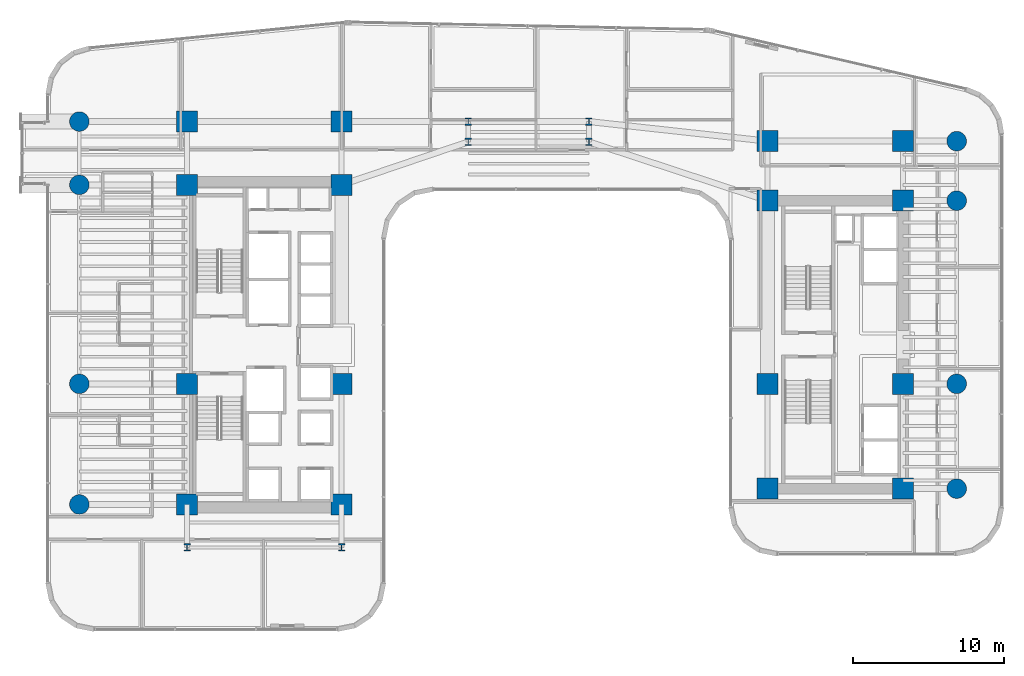
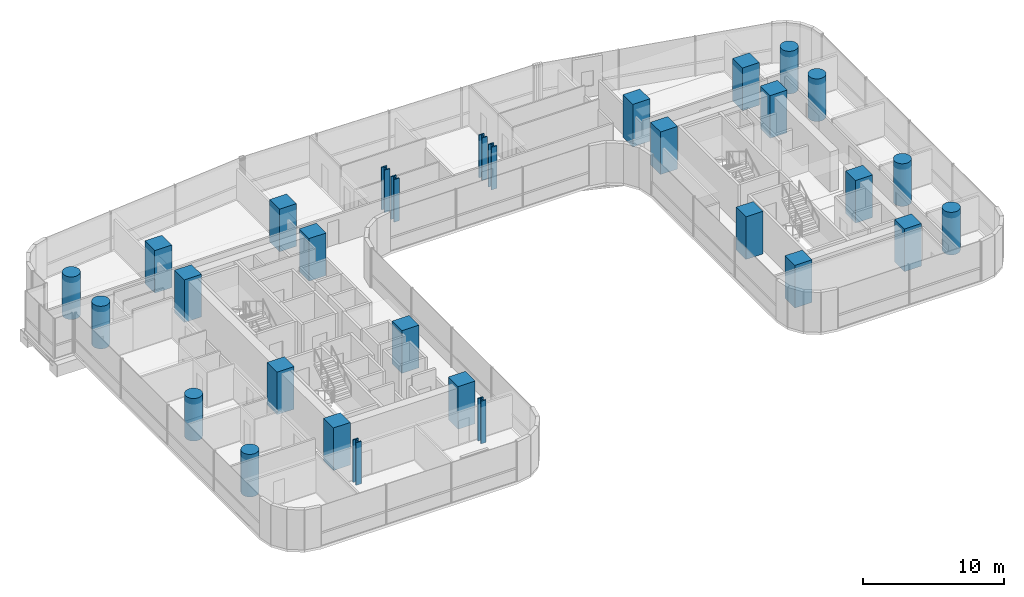
# One storey, part 1 of 41: 30 columns.
"""IFC4 building model written with IfcOpenShell, lengths in metres."""

from ifc_helpers import new_model, si_unit, direction, frame, origin, origin_2d, place, context, subcontext, project, spatial, rectangle, circle, i_section, extrude, source, transform, mapped, material, material_profile, profile_set, type_object, element, save


model = new_model("IFC4")

# Units and contexts
model_context = context("Model", 3, precision=1e-05, world=origin(), true_north=direction((0.0, 1.0)))
body_context = subcontext(model_context, "Body", "Model", "MODEL_VIEW")
ifc_project = project(units=[si_unit("LENGTHUNIT", "METRE"), si_unit("AREAUNIT", "SQUARE_METRE"), si_unit("VOLUMEUNIT", "CUBIC_METRE"), si_unit("PLANEANGLEUNIT", "RADIAN"), si_unit("MASSUNIT", "GRAM", prefix="KILO")], contexts=[model_context])

# Site, building, storey
site_placement = place(None, origin())
site = spatial("IfcSite", under=ifc_project, at=site_placement, CompositionType="ELEMENT")
building_placement = place(site_placement, origin())
building = spatial("IfcBuilding", under=site, at=building_placement, Name="Valdorenza Pilgrim Sanctuary Tower", CompositionType="ELEMENT")
storey_placement = place(building_placement, frame((0.0, 0.0, 85.199951171875)))
storey = spatial("IfcBuildingStorey", under=building, at=storey_placement, Name="L21", CompositionType="ELEMENT", Elevation=85.199951171875)

# Columns
ifc_material_1 = material(Name="Concrete C60/75", Category="concrete")
ifc_material_profile_1 = material_profile(ifc_material_1, circle(Radius=0.64990234375, at=origin_2d()), Name="RC D1300")
ifc_profile_set_1 = profile_set([ifc_material_profile_1], Name="Concrete C60/75")
column_type_1 = type_object("IfcColumnType", Name="COL-RND-1300", PredefinedType="COLUMN", material=ifc_profile_set_1)
shared_shape_1 = source(origin(), body_context, "Body", "SweptSolid", [
    extrude(circle(Radius=0.64990234375, at=origin_2d()), origin(), (0.0, 0.0, 1.0), 3.699951171875),
])
for number, where, z_axis, x_axis, name in (
    (1, (-29.800048828125, -10.60009765625, 0.0), (0.0, 0.0, 1.0), (1.0, 0.0, 0.0), "L21 Perimeter Column WA-W-S1"),
    (2, (-29.800048828125, -2.60009765625, 0.0), (0.0, 0.0, 1.0), (1.0, 0.0, 0.0), "L21 Perimeter Column WA-W-M0"),
    (3, (-29.800048828125, 10.60009765625, 0.0), (0.0, 0.0, 1.0), (1.0, 0.0, 0.0), "L21 Perimeter Column WA-W-N1"),
    (4, (-29.800048828125, 14.800048828125, 0.0), (0.0, 0.0, 1.0), (1.0, 0.0, 0.0), "L21 Perimeter Column WA-W-N2"),
    (5, (28.39990234375, -9.550048828125, 0.0), (0.0, 0.0, 1.0), (1.0, 0.0, 0.0), "L21 Perimeter Column WB-E-S1"),
    (6, (28.39990234375, -2.60009765625, 0.0), (0.0, 0.0, 1.0), (1.0, 0.0, 0.0), "L21 Perimeter Column WB-E-M0"),
    (7, (28.39990234375, 9.550048828125, 0.0), (0.0, 0.0, 1.0), (1.0, 0.0, 0.0), "L21 Perimeter Column WB-E-N1"),
    (8, (28.39990234375, 13.5, 0.0), (0.0, 0.0, 1.0), (1.0, 0.0, 0.0), "L21 Perimeter Column WB-E-N2"),
):
    element("IfcColumn", number, at=place(storey_placement, frame(where, z_axis=z_axis, x_axis=x_axis)), inside=storey, type_object=column_type_1, Name=name, PredefinedType="COLUMN", context=body_context, shape_type="MappedRepresentation", body=[
        mapped(shared_shape_1, transform((0.0, 0.0, 0.0), x_axis=(1.0, 0.0, 0.0), y_axis=(0.0, 1.0, 0.0), z_axis=(0.0, 0.0, 1.0), scale=1.0)),
    ])
ifc_material_profile_2 = material_profile(ifc_material_1, rectangle(XDim=1.39990234375, YDim=1.39990234375, at=origin_2d()), Name="RC 1400x1400")
ifc_profile_set_2 = profile_set([ifc_material_profile_2], Name="Concrete C60/75")
column_type_2 = type_object("IfcColumnType", Name="COL-Z1-1400", PredefinedType="COLUMN", material=ifc_profile_set_2)
shared_shape_2 = source(origin(), body_context, "Body", "SweptSolid", [
    extrude(rectangle(XDim=1.39990234375, YDim=1.39990234375, at=origin_2d()), origin(), (0.0, 0.0, 1.0), 3.699951171875),
])
for number, where, z_axis, x_axis, name in (
    (9, (-22.64990234375, -10.60009765625, 0.0), (0.0, 0.0, 1.0), (1.0, 0.0, 0.0), "L21 Column CA-W-S1"),
    (10, (-12.39990234375, -10.60009765625, 0.0), (0.0, 0.0, 1.0), (1.0, 0.0, 0.0), "L21 Column CA-E-S1"),
    (11, (-22.64990234375, -2.60009765625, 0.0), (0.0, 0.0, 1.0), (1.0, 0.0, 0.0), "L21 Column CA-W-M0"),
    (12, (-12.39990234375, -2.60009765625, 0.0), (0.0, 0.0, 1.0), (1.0, 0.0, 0.0), "L21 Column CA-E-M0"),
    (13, (-22.64990234375, 10.60009765625, 0.0), (0.0, 0.0, 1.0), (1.0, 0.0, 0.0), "L21 Column CA-W-N1"),
    (14, (-12.39990234375, 10.60009765625, 0.0), (0.0, 0.0, 1.0), (1.0, 0.0, 0.0), "L21 Column CA-E-N1"),
    (15, (-22.64990234375, 14.800048828125, 0.0), (0.0, 0.0, 1.0), (1.0, 0.0, 0.0), "L21 Column CA-W-N2"),
    (16, (-12.39990234375, 14.800048828125, 0.0), (0.0, 0.0, 1.0), (1.0, 0.0, 0.0), "L21 Column CA-E-N2"),
    (17, (15.85009765625, -9.550048828125, 0.0), (0.0, 0.0, 1.0), (1.0, 0.0, 0.0), "L21 Column CB-W-S1"),
    (18, (24.85009765625, -9.550048828125, 0.0), (0.0, 0.0, 1.0), (1.0, 0.0, 0.0), "L21 Column CB-E-S1"),
    (19, (15.85009765625, -2.60009765625, 0.0), (0.0, 0.0, 1.0), (1.0, 0.0, 0.0), "L21 Column CB-W-M0"),
    (20, (24.85009765625, -2.60009765625, 0.0), (0.0, 0.0, 1.0), (1.0, 0.0, 0.0), "L21 Column CB-E-M0"),
    (21, (15.85009765625, 9.550048828125, 0.0), (0.0, 0.0, 1.0), (1.0, 0.0, 0.0), "L21 Column CB-W-N1"),
    (22, (24.85009765625, 9.550048828125, 0.0), (0.0, 0.0, 1.0), (1.0, 0.0, 0.0), "L21 Column CB-E-N1"),
    (23, (15.85009765625, 13.5, 0.0), (0.0, 0.0, 1.0), (1.0, 0.0, 0.0), "L21 Column CB-W-N2"),
    (24, (24.85009765625, 13.5, 0.0), (0.0, 0.0, 1.0), (1.0, 0.0, 0.0), "L21 Column CB-E-N2"),
):
    element("IfcColumn", number, at=place(storey_placement, frame(where, z_axis=z_axis, x_axis=x_axis)), inside=storey, type_object=column_type_2, Name=name, PredefinedType="COLUMN", context=body_context, shape_type="MappedRepresentation", body=[
        mapped(shared_shape_2, transform((0.0, 0.0, 0.0), x_axis=(1.0, 0.0, 0.0), y_axis=(0.0, 1.0, 0.0), z_axis=(0.0, 0.0, 1.0), scale=1.0)),
    ])
ifc_material_2 = material(Name="Steel ASTM A992 Grade 50", Category="steel")
ifc_material_profile_3 = material_profile(ifc_material_2, i_section(OverallWidth=0.431884765625, OverallDepth=0.498046875, WebThickness=0.0556640625, FlangeThickness=0.0888671875, at=origin_2d()), Name="W14X500")
ifc_profile_set_3 = profile_set([ifc_material_profile_3], Name="Steel ASTM A992 Grade 50")
column_type_3 = type_object("IfcColumnType", Name="COL-STL-W500", PredefinedType="COLUMN", material=ifc_profile_set_3)
shared_shape_3 = source(origin(), body_context, "Body", "SweptSolid", [
    extrude(i_section(OverallWidth=0.431884765625, OverallDepth=0.498046875, WebThickness=0.0556640625, FlangeThickness=0.0888671875, at=origin_2d()), origin(), (0.0, 0.0, 1.0), 3.699951171875),
])
for number, where, z_axis, x_axis, name in (
    (25, (-22.64990234375, -13.449951171875, 0.0), (0.0, 0.0, 1.0), (1.0, 0.0, 0.0), "L21 Column WA-S-W"),
    (26, (-12.39990234375, -13.449951171875, 0.0), (0.0, 0.0, 1.0), (1.0, 0.0, 0.0), "L21 Column WA-S-E"),
    (27, (-4.0, 13.449951171875, 0.0), (0.0, 0.0, 1.0), (1.0, 0.0, 0.0), "L21 Column KNK-W1"),
    (28, (-4.0, 14.800048828125, 0.0), (0.0, 0.0, 1.0), (1.0, 0.0, 0.0), "L21 Column KNK-W2"),
    (29, (4.0, 13.449951171875, 0.0), (0.0, 0.0, 1.0), (1.0, 0.0, 0.0), "L21 Column KNK-E1"),
    (30, (4.0, 14.800048828125, 0.0), (0.0, 0.0, 1.0), (1.0, 0.0, 0.0), "L21 Column KNK-E2"),
):
    element("IfcColumn", number, at=place(storey_placement, frame(where, z_axis=z_axis, x_axis=x_axis)), inside=storey, type_object=column_type_3, Name=name, PredefinedType="COLUMN", context=body_context, shape_type="MappedRepresentation", body=[
        mapped(shared_shape_3, transform((0.0, 0.0, 0.0), x_axis=(1.0, 0.0, 0.0), y_axis=(0.0, 1.0, 0.0), z_axis=(0.0, 0.0, 1.0), scale=1.0)),
    ])

save(model, "model.ifc")
